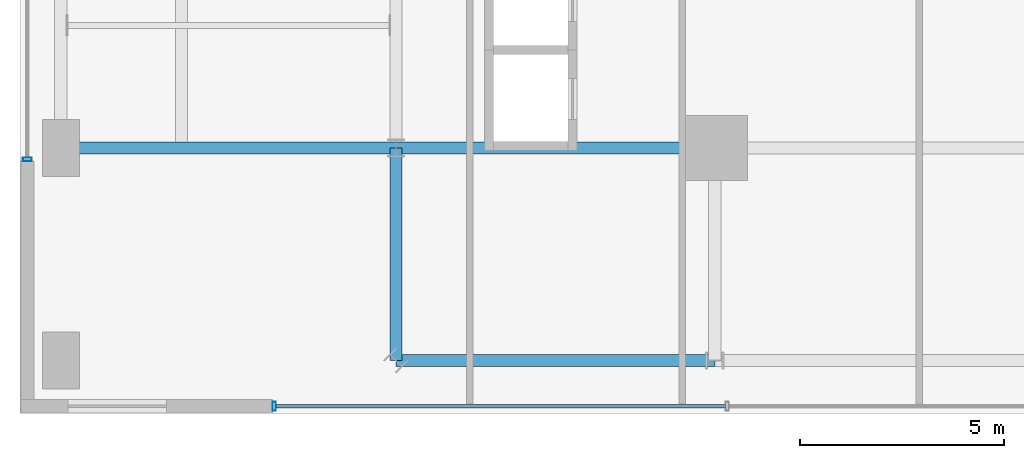
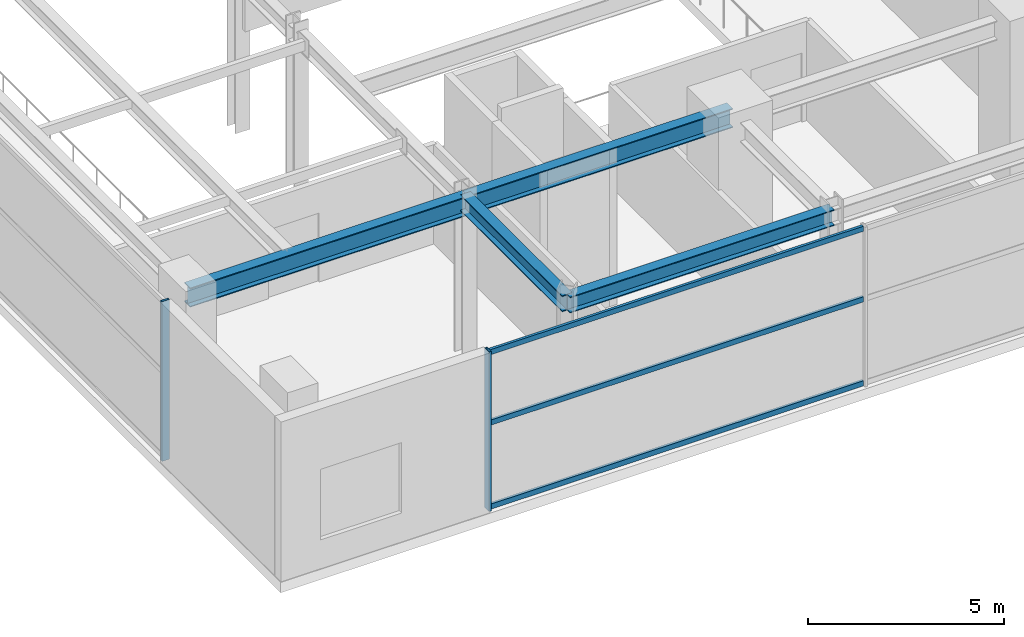
# One storey, part 4 of 35: 5 members, 4 beams, 2 elements without a shape of their own.
"""IFC4 building model written with IfcOpenShell, lengths in metres."""

import ifcopenshell
import ifcopenshell.guid

model = None  # the IFC model being written
_history = None  # IfcOwnerHistory: only IFC2X3 demands one
_inside = {}  # id of a spatial element -> (the spatial element, [elements in it])
_under = {}  # id of a project, library or spatial element -> (it, [spatial elements below it])
_declared = {}  # id of a project -> (the project, [libraries it declares])
_typed = {}  # id of a type object -> (the type object, [elements of that type])
_made_of = {}  # id of a material, layer set ... -> (it, [elements and type objects made of it])


def new_model(schema):
    """Start an empty IFC model of exactly this schema.

    Asked for "IFC4X3", IfcOpenShell would pick the latest addendum, in which some entities
    have other attributes; the version numbers below select the first issue.
    IFC2X3 requires an IfcOwnerHistory on every rooted entity: one is made here for all.
    """
    global model, _history
    if schema == "IFC4X3":
        model = ifcopenshell.file(schema_version=(4, 3, 0, 0))
    else:
        model = ifcopenshell.file(schema=schema)
    _inside.clear()
    _under.clear()
    _declared.clear()
    _typed.clear()
    _made_of.clear()
    _history = None
    if model.schema == "IFC2X3":
        org = make("IfcOrganization", Name="unknown")
        user = make(
            "IfcPersonAndOrganization",
            ThePerson=make("IfcPerson", FamilyName="unknown"),
            TheOrganization=org,
        )
        app = make(
            "IfcApplication",
            ApplicationDeveloper=org,
            Version="unknown",
            ApplicationFullName="unknown",
            ApplicationIdentifier="unknown",
        )
        _history = make(
            "IfcOwnerHistory",
            OwningUser=user,
            OwningApplication=app,
            ChangeAction="ADDED",
            CreationDate=0,
        )
    return model


def make(cls, **values):
    """One entity of the class cls with the attributes given. An attribute that is None is left unset."""
    return model.create_entity(
        cls, **{name: value for name, value in values.items() if value is not None}
    )


def rooted(cls, **values):
    """An entity with a GlobalId (a new one), such as an element, a storey or a relation."""
    return make(cls, GlobalId=ifcopenshell.guid.new(), OwnerHistory=_history, **values)


def si_unit(unit_type, name, prefix=None):
    """IfcSIUnit, for example si_unit("LENGTHUNIT", "METRE", prefix="MILLI")."""
    return make("IfcSIUnit", UnitType=unit_type, Prefix=prefix, Name=name)


def assignment(units):
    """IfcUnitAssignment: the units of a project."""
    return None if units is None else make("IfcUnitAssignment", Units=units)


def point(xyz):
    """IfcCartesianPoint."""
    return None if xyz is None else make("IfcCartesianPoint", Coordinates=xyz)


def direction(xyz):
    """IfcDirection."""
    return None if xyz is None else make("IfcDirection", DirectionRatios=xyz)


def frame(location, z_axis=None, x_axis=None):
    """IfcAxis2Placement3D, a coordinate frame: its origin and axes. An axis left out is left unset."""
    return make(
        "IfcAxis2Placement3D",
        Location=point(location),
        Axis=direction(z_axis),
        RefDirection=direction(x_axis),
    )


def frame_2d(location, x_axis=None):
    """IfcAxis2Placement2D, a coordinate frame in the plane: its origin and x axis."""
    return make(
        "IfcAxis2Placement2D", Location=point(location), RefDirection=direction(x_axis)
    )


def origin():
    """The frame at (0, 0, 0) with its axes left unset."""
    return frame((0.0, 0.0, 0.0))


def origin_2d():
    """The frame at (0, 0) in the plane with its x axis left unset."""
    return frame_2d((0.0, 0.0))


def place(relative_to, where):
    """IfcLocalPlacement: puts the frame where relative to a parent placement (None: the world)."""
    return make(
        "IfcLocalPlacement", PlacementRelTo=relative_to, RelativePlacement=where
    )


def context(
    kind, dimensions, precision=None, world=None, true_north=None, identifier=None
):
    """IfcGeometricRepresentationContext, for example the 3D "Model" context."""
    return make(
        "IfcGeometricRepresentationContext",
        ContextIdentifier=identifier,
        ContextType=kind,
        CoordinateSpaceDimension=dimensions,
        Precision=precision,
        WorldCoordinateSystem=world,
        TrueNorth=true_north,
    )


def subcontext(parent, identifier, kind, view, scale=None):
    """IfcGeometricRepresentationSubContext, for example "Body" below "Model"."""
    return make(
        "IfcGeometricRepresentationSubContext",
        ContextIdentifier=identifier,
        ContextType=kind,
        ParentContext=parent,
        TargetScale=scale,
        TargetView=view,
    )


def project(units=None, contexts=None):
    """IfcProject with its units and contexts."""
    return rooted(
        "IfcProject",
        Name="project",
        RepresentationContexts=contexts,
        UnitsInContext=assignment(units),
    )


def spatial(cls, under=None, at=None, **own):
    """A site, building, storey or space (cls), placed at a placement, below another one or the project."""
    s = rooted(cls, ObjectPlacement=at, **own)
    if under is not None:
        _under.setdefault(under.id(), (under, []))[1].append(s)
    return s


def profile(cls, at=None, kind="AREA", **sizes):
    """A parametric profile (cls). Its sizes go by their IFC names, for example OverallWidth=200.0."""
    return make(cls, ProfileType=kind, Position=at, **sizes)


def hollow_rectangle(**sizes):
    """IfcRectangleHollowProfileDef."""
    return profile("IfcRectangleHollowProfileDef", **sizes)


def i_section(**sizes):
    """IfcIShapeProfileDef."""
    return profile("IfcIShapeProfileDef", **sizes)


def extrude(swept, where, along, depth):
    """IfcExtrudedAreaSolid: the profile swept, set in the frame where, extruded along a direction by depth."""
    return make(
        "IfcExtrudedAreaSolid",
        SweptArea=swept,
        Position=where,
        ExtrudedDirection=direction(along),
        Depth=depth,
    )


def shape(context_of_items, identifier, shape_type, items):
    """IfcShapeRepresentation: the items that make up one representation, for example the "Body"."""
    return make(
        "IfcShapeRepresentation",
        ContextOfItems=context_of_items,
        RepresentationIdentifier=identifier,
        RepresentationType=shape_type,
        Items=items,
    )


def source(mapping_origin, context_of_items, identifier, shape_type, items):
    """IfcRepresentationMap: a shape defined once, which mapped items show again and again."""
    return make(
        "IfcRepresentationMap",
        MappingOrigin=mapping_origin,
        MappedRepresentation=shape(context_of_items, identifier, shape_type, items),
    )


def transform(
    local_origin,
    x_axis=None,
    y_axis=None,
    z_axis=None,
    scale=None,
    scale2=None,
    scale3=None,
    uniform=True,
):
    """IfcCartesianTransformationOperator3D, or its non-uniform kind. x_axis, y_axis, z_axis: its Axis1, 2, 3."""
    if uniform:
        return make(
            "IfcCartesianTransformationOperator3D",
            Axis1=direction(x_axis),
            Axis2=direction(y_axis),
            LocalOrigin=point(local_origin),
            Scale=scale,
            Axis3=direction(z_axis),
        )
    return make(
        "IfcCartesianTransformationOperator3DnonUniform",
        Axis1=direction(x_axis),
        Axis2=direction(y_axis),
        LocalOrigin=point(local_origin),
        Scale=scale,
        Axis3=direction(z_axis),
        Scale2=scale2,
        Scale3=scale3,
    )


def mapped(mapping_source, mapping_target):
    """IfcMappedItem: shows the shape of a source again, moved by a transform."""
    return make(
        "IfcMappedItem", MappingSource=mapping_source, MappingTarget=mapping_target
    )


def material(Name=None, Category=None):
    """IfcMaterial."""
    return make("IfcMaterial", Name=Name, Category=Category)


def material_profile(
    of_material, cross_section, Name=None, Category=None, Priority=None
):
    """IfcMaterialProfile: a cross section and its material."""
    return make(
        "IfcMaterialProfile",
        Name=Name,
        Material=of_material,
        Profile=cross_section,
        Priority=Priority,
        Category=Category,
    )


def profile_set(profiles, Name=None, composite=None):
    """IfcMaterialProfileSet."""
    return make(
        "IfcMaterialProfileSet",
        Name=Name,
        MaterialProfiles=profiles,
        CompositeProfile=composite,
    )


def made_of(thing, what):
    """Note that an element or type object is made of a material, layer set ...; save() writes the relation."""
    if what is not None:
        _made_of.setdefault(what.id(), (what, []))[1].append(thing)
    return thing


def type_object(cls, material=None, **own):
    """A type object (cls), such as IfcWallType, which elements share."""
    return made_of(rooted(cls, **own), material)


def element(
    cls,
    number,
    at=None,
    inside=None,
    cuts=None,
    type_object=None,
    material=None,
    context=None,
    identifier="Body",
    shape_type=None,
    held_by="IfcProductDefinitionShape",
    body=None,
    shapes=None,
    **own,
):
    """One element of the class cls, such as IfcWall. Its Tag is "e" and its number.

    at: its placement. inside: the storey or other place that contains it. cuts: it is an
    opening in that element (IfcRelVoidsElement). A single representation is given by context,
    identifier, shape_type and body (its items); several are given by shapes. held_by: the class
    of the entity that holds the representations. save() writes the other relations.
    """
    e = rooted(cls, Tag="e%d" % number, ObjectPlacement=at, **own)
    if body is not None:
        shapes = [shape(context, identifier, shape_type, body)]
    if shapes is not None:
        e.Representation = make(held_by, Representations=shapes)
    if inside is not None:
        _inside.setdefault(inside.id(), (inside, []))[1].append(e)
    if cuts is not None:
        rooted(
            "IfcRelVoidsElement", RelatingBuildingElement=cuts, RelatedOpeningElement=e
        )
    if type_object is not None:
        _typed.setdefault(type_object.id(), (type_object, []))[1].append(e)
    return made_of(e, material)


def aggregate(whole, parts):
    """IfcRelAggregates: a whole, such as a stair, and the parts it consists of."""
    return rooted("IfcRelAggregates", RelatingObject=whole, RelatedObjects=parts)


def save(model, path):
    """Write the relations noted so far, then the file.

    IfcRelAggregates (storeys below a building ...), IfcRelContainedInSpatialStructure (elements
    in a storey), IfcRelDefinesByType, IfcRelAssociatesMaterial and IfcRelDeclares: one each for
    every whole, place, type object, material and project.
    """
    for whole, parts in _under.values():
        aggregate(whole, parts)
    for where, things in _inside.values():
        rooted(
            "IfcRelContainedInSpatialStructure",
            RelatedElements=things,
            RelatingStructure=where,
        )
    for kind, things in _typed.values():
        rooted("IfcRelDefinesByType", RelatedObjects=things, RelatingType=kind)
    for what, things in _made_of.values():
        rooted("IfcRelAssociatesMaterial", RelatedObjects=things, RelatingMaterial=what)
    for by, libraries in _declared.values():
        rooted("IfcRelDeclares", RelatingContext=by, RelatedDefinitions=libraries)
    model.write(path)


model = new_model("IFC4")

# Units and contexts
model_context = context("Model", 3, precision=1e-05, world=origin(), true_north=direction((0.0, 1.0)))
body_context = subcontext(model_context, "Body", "Model", "MODEL_VIEW")
ifc_project = project(units=[si_unit("LENGTHUNIT", "METRE"), si_unit("AREAUNIT", "SQUARE_METRE"), si_unit("VOLUMEUNIT", "CUBIC_METRE"), si_unit("PLANEANGLEUNIT", "RADIAN"), si_unit("MASSUNIT", "GRAM", prefix="KILO")], contexts=[model_context])

# Site, building, storey
site_placement = place(None, origin())
site = spatial("IfcSite", under=ifc_project, at=site_placement, CompositionType="ELEMENT")
building_placement = place(site_placement, origin())
building = spatial("IfcBuilding", under=site, at=building_placement, Name="Nahalor Promenade Grand Hotel", CompositionType="ELEMENT")
storey_placement = place(building_placement, frame((0.0, 0.0, 21.60009765625)))
storey = spatial("IfcBuildingStorey", under=building, at=storey_placement, Name="L04", CompositionType="ELEMENT", Elevation=21.60009765625)

# Beams
ifc_material_1 = material(Name="Steel S355JR", Category="steel")
ifc_material_profile_1 = material_profile(ifc_material_1, i_section(OverallWidth=0.3, OverallDepth=0.6, WebThickness=0.0155, FlangeThickness=0.03, at=origin_2d()), Name="HEB 600")
ifc_profile_set_1 = profile_set([ifc_material_profile_1], Name="Steel S355JR")
beam_type_1 = type_object("IfcBeamType", Name="Beam-Girder-HEB600", PredefinedType="BEAM", material=ifc_profile_set_1)
shared_shape_1 = source(origin(), body_context, "Body", "SweptSolid", [
    extrude(i_section(OverallWidth=0.3, OverallDepth=0.6, WebThickness=0.0155, FlangeThickness=0.03, at=origin_2d()), origin(), (0.0, 0.0, 1.0), 8.199951171875),
])
beam_1_placement = place(storey_placement, frame((-33.0, -17.0, 4.679931640625), z_axis=(1.0, 0.0, 0.0), x_axis=(0.0, 1.0, 0.0)))
element("IfcBeam", 1, at=beam_1_placement, inside=storey, type_object=beam_type_1, Name="BM-L04-GX-0-0", PredefinedType="BEAM", context=body_context, shape_type="MappedRepresentation", body=[
    mapped(shared_shape_1, transform((0.0, 0.0, 0.0), scale=1.0)),
])
shared_shape_2 = source(origin(), body_context, "Body", "SweptSolid", [
    extrude(i_section(OverallWidth=0.3, OverallDepth=0.6, WebThickness=0.0155, FlangeThickness=0.03, at=origin_2d()), origin(), (0.0, 0.0, 1.0), 7.800048828125),
])
beam_2_placement = place(storey_placement, frame((-24.800048828125, -17.0, 4.679931640625), z_axis=(1.0, 0.0, 0.0), x_axis=(0.0, 1.0, 0.0)))
element("IfcBeam", 2, at=beam_2_placement, inside=storey, type_object=beam_type_1, Name="BM-L04-GX-0-1", PredefinedType="BEAM", context=body_context, shape_type="MappedRepresentation", body=[
    mapped(shared_shape_2, transform((0.0, 0.0, 0.0), scale=1.0)),
])
ifc_material_profile_2 = material_profile(ifc_material_1, i_section(OverallWidth=0.3, OverallDepth=0.5, WebThickness=0.0145, FlangeThickness=0.028, at=origin_2d()), Name="HEB 500")
ifc_profile_set_2 = profile_set([ifc_material_profile_2], Name="Steel S355JR")
beam_type_2 = type_object("IfcBeamType", Name="Beam-Spandrel-HEB500", PredefinedType="SPANDREL", material=ifc_profile_set_2)
shared_shape_3 = source(origin(), body_context, "Body", "SweptSolid", [
    extrude(i_section(OverallWidth=0.3, OverallDepth=0.5, WebThickness=0.0145, FlangeThickness=0.028, at=origin_2d()), origin(), (0.0, 0.0, 1.0), 7.800048828125),
])
beam_3_placement = place(storey_placement, frame((-17.0, -22.199951171875, 4.72998046875), z_axis=(-1.0, 0.0, 0.0), x_axis=(0.0, -1.0, 0.0)))
element("IfcBeam", 3, at=beam_3_placement, inside=storey, type_object=beam_type_2, Name="BM-L04-SPC-SW-1", PredefinedType="SPANDREL", context=body_context, shape_type="MappedRepresentation", body=[
    mapped(shared_shape_3, transform((0.0, 0.0, 0.0), scale=1.0)),
])
shared_shape_4 = source(origin(), body_context, "Body", "SweptSolid", [
    extrude(i_section(OverallWidth=0.3, OverallDepth=0.5, WebThickness=0.0145, FlangeThickness=0.028, at=origin_2d()), origin(), (0.0, 0.0, 1.0), 5.199951171875),
])
beam_4_placement = place(storey_placement, frame((-24.800048828125, -22.199951171875, 4.72998046875), z_axis=(0.0, 1.0, 0.0), x_axis=(-1.0, 0.0, 0.0)))
element("IfcBeam", 4, at=beam_4_placement, inside=storey, type_object=beam_type_2, Name="BM-L04-SPC-SW-2", PredefinedType="SPANDREL", context=body_context, shape_type="MappedRepresentation", body=[
    mapped(shared_shape_4, transform((0.0, 0.0, 0.0), scale=1.0)),
])

# Curtain wall, member
ifc_material_2 = material(Name="Anodised Bronze Aluminium EN AW-6063 T6", Category="aluminium")
curtain_wall_type = type_object("IfcCurtainWallType", Name="CW1 Waterfront Podium Bronze Arcade Curtain Wall", PredefinedType="USERDEFINED", material=ifc_material_2)
curtain_wall_1_placement = place(storey_placement, origin())
curtain_wall_1 = element("IfcCurtainWall", 5, at=curtain_wall_1_placement, inside=storey, type_object=curtain_wall_type, Name="L04 Curtain Wall CW-L04-S", ObjectType="UNITISED_CURTAIN_WALL", PredefinedType="USERDEFINED")
ifc_material_profile_3 = material_profile(ifc_material_2, hollow_rectangle(XDim=0.08, YDim=0.22, WallThickness=0.005, at=origin_2d()), Name="CWM 80x220x5")
ifc_profile_set_3 = profile_set([ifc_material_profile_3], Name="Anodised Bronze Aluminium EN AW-6063 T6")
member_type_1 = type_object("IfcMemberType", Name="CWM1 Podium Bronze Mullion 80x220", PredefinedType="MULLION", material=ifc_profile_set_3)
shared_shape_5 = source(origin(), body_context, "Body", "SweptSolid", [
    extrude(hollow_rectangle(XDim=0.08, YDim=0.22, WallThickness=0.005, at=origin_2d()), origin(), (0.0, 0.0, 1.0), 4.97998046875),
])
member_1_placement = place(storey_placement, frame((-27.780029296875, -23.320068359375, 0.0), z_axis=(0.0, 0.0, 1.0), x_axis=(1.0, 0.0, 0.0)))
member_1 = element("IfcMember", 6, at=member_1_placement, type_object=member_type_1, Name="CW-L04-S Mullion 0", PredefinedType="MULLION", context=body_context, shape_type="MappedRepresentation", body=[
    mapped(shared_shape_5, transform((0.0, 0.0, 0.0), scale=1.0)),
])

curtain_wall_2_placement = place(storey_placement, origin())
curtain_wall_2 = element("IfcCurtainWall", 7, at=curtain_wall_2_placement, inside=storey, type_object=curtain_wall_type, Name="L04 Curtain Wall CW-L04-W", ObjectType="UNITISED_CURTAIN_WALL", PredefinedType="USERDEFINED")
member_2_placement = place(storey_placement, frame((-33.820068359375, -17.280029296875, 0.0), z_axis=(0.0, 0.0, 1.0), x_axis=(0.0, 1.0, 0.0)))
member_2 = element("IfcMember", 8, at=member_2_placement, type_object=member_type_1, Name="CW-L04-W Mullion 0", PredefinedType="MULLION", context=body_context, shape_type="MappedRepresentation", body=[
    mapped(shared_shape_5, transform((0.0, 0.0, 0.0), scale=1.0)),
])
aggregate(curtain_wall_2, [member_2])

# Member
ifc_material_profile_4 = material_profile(ifc_material_2, hollow_rectangle(XDim=0.08, YDim=0.16, WallThickness=0.004, at=origin_2d()), Name="CWT 80x160x4")
ifc_profile_set_4 = profile_set([ifc_material_profile_4], Name="Anodised Bronze Aluminium EN AW-6063 T6")
member_type_2 = type_object("IfcMemberType", Name="CWT1 Podium Bronze Transom 80x160", PredefinedType="USERDEFINED", material=ifc_profile_set_4)
shared_shape_6 = source(origin(), body_context, "Body", "SweptSolid", [
    extrude(hollow_rectangle(XDim=0.08, YDim=0.16, WallThickness=0.004, at=origin_2d()), origin(), (0.0, 0.0, 1.0), 11.008056640625),
])
member_3_placement = place(storey_placement, frame((-27.739990234375, -23.320068359375, 0.079833984375), z_axis=(1.0, 0.0, 0.0), x_axis=(0.0, 1.0, 0.0)))
member_3 = element("IfcMember", 9, at=member_3_placement, type_object=member_type_2, Name="CW-L04-S Transom 0-0", ObjectType="TRANSOM", PredefinedType="USERDEFINED", context=body_context, shape_type="MappedRepresentation", body=[
    mapped(shared_shape_6, transform((0.0, 0.0, 0.0), scale=1.0)),
])

member_4_placement = place(storey_placement, frame((-27.739990234375, -23.320068359375, 2.699951171875), z_axis=(1.0, 0.0, 0.0), x_axis=(0.0, 1.0, 0.0)))
member_4 = element("IfcMember", 10, at=member_4_placement, type_object=member_type_2, Name="CW-L04-S Transom 0-1", ObjectType="TRANSOM", PredefinedType="USERDEFINED", context=body_context, shape_type="MappedRepresentation", body=[
    mapped(shared_shape_6, transform((0.0, 0.0, 0.0), scale=1.0)),
])

member_5_placement = place(storey_placement, frame((-27.739990234375, -23.320068359375, 4.89990234375), z_axis=(1.0, 0.0, 0.0), x_axis=(0.0, 1.0, 0.0)))
member_5 = element("IfcMember", 11, at=member_5_placement, type_object=member_type_2, Name="CW-L04-S Transom 0-2", ObjectType="TRANSOM", PredefinedType="USERDEFINED", context=body_context, shape_type="MappedRepresentation", body=[
    mapped(shared_shape_6, transform((0.0, 0.0, 0.0), scale=1.0)),
])

aggregate(curtain_wall_1, [member_1, member_3, member_4, member_5])

save(model, "model.ifc")
